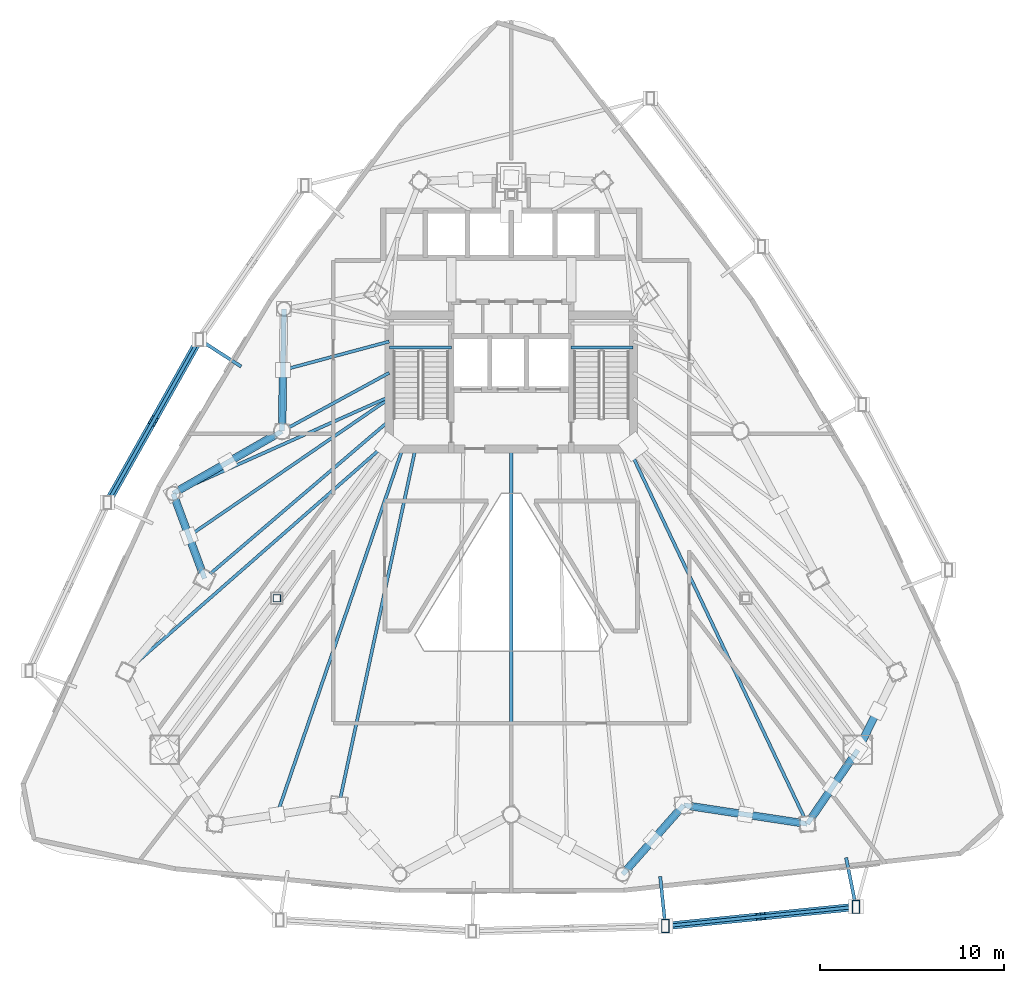
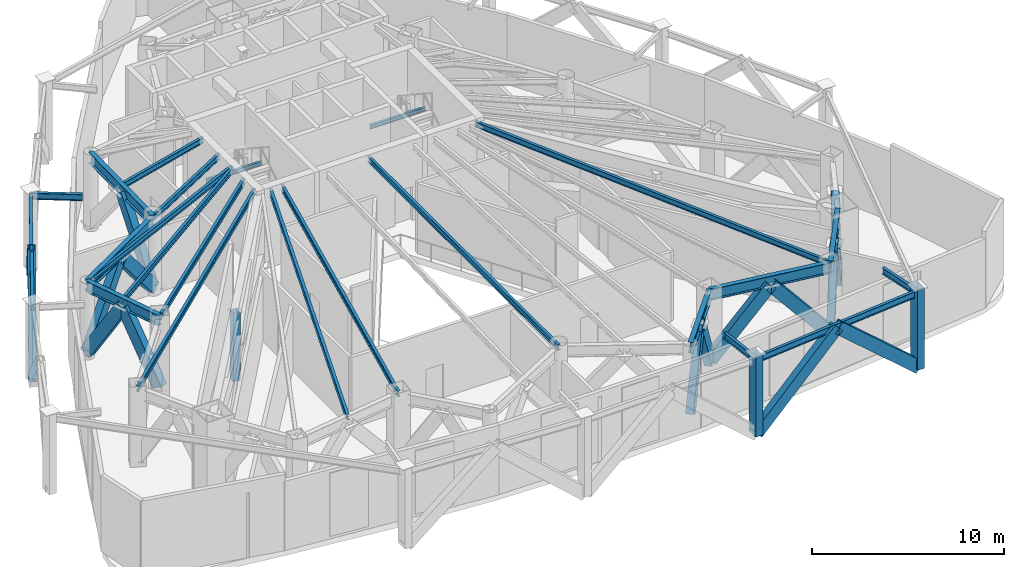
# One storey, part 2 of 10: 23 beams, 19 members.
"""IFC4 building model written with IfcOpenShell, lengths in metres."""

from ifc_helpers import new_model, si_unit, direction, frame, origin, origin_2d, place, context, subcontext, project, spatial, hollow_rectangle, i_section, extrude, material, material_profile, profile_set, type_object, element, save


model = new_model("IFC4")

# Units and contexts
model_context = context("Model", 3, precision=1e-05, world=origin(), true_north=direction((0.0, 1.0)))
body_context = subcontext(model_context, "Body", "Model", "MODEL_VIEW")
ifc_project = project(units=[si_unit("LENGTHUNIT", "METRE"), si_unit("AREAUNIT", "SQUARE_METRE"), si_unit("VOLUMEUNIT", "CUBIC_METRE"), si_unit("PLANEANGLEUNIT", "RADIAN"), si_unit("MASSUNIT", "GRAM", prefix="KILO")], contexts=[model_context])

# Site, building, storey
site_placement = place(None, origin())
site = spatial("IfcSite", under=ifc_project, at=site_placement, CompositionType="ELEMENT")
building_placement = place(site_placement, origin())
building = spatial("IfcBuilding", under=site, at=building_placement, Name="Orvanel Arch Residences", CompositionType="ELEMENT")
storey_placement = place(building_placement, frame((0.0, 0.0, 101.60009765625)))
storey = spatial("IfcBuildingStorey", under=building, at=storey_placement, Name="L28", CompositionType="ELEMENT", Elevation=101.60009765625)

# Beams
ifc_material_1 = material(Name="Structural steel AS/NZS 3679.1 Grade 300 (300 MPa)", Category="steel")
ifc_material_profile_1 = material_profile(ifc_material_1, i_section(OverallWidth=0.14599609375, OverallDepth=0.251953125, WebThickness=0.006103515625, FlangeThickness=0.008544921875, at=origin_2d()), Name="250UB31.4")
ifc_profile_set_1 = profile_set([ifc_material_profile_1], Name="Structural steel AS/NZS 3679.1 Grade 300 (300 MPa)")
beam_type_1 = type_object("IfcBeamType", Name="BJ-250UB", PredefinedType="JOIST", material=ifc_profile_set_1)
for number, where, z_axis, x_axis, name in (
    (1, (26.39990234375, 32.179931640625, 2.223876953125), (1.0, 0.0, 0.0), (0.0, 1.0, 0.0), "L28 ST-1 Half-Landing Support Beam 1.1"),
    (2, (36.25, 32.179931640625, 2.223876953125), (1.0, 0.0, 0.0), (0.0, 1.0, 0.0), "L28 ST-2 Half-Landing Support Beam 1.1"),
):
    element("IfcBeam", number, at=place(storey_placement, frame(where, z_axis=z_axis, x_axis=x_axis)), inside=storey, type_object=beam_type_1, Name=name, PredefinedType="JOIST", context=body_context, shape_type="SweptSolid", body=[
        extrude(i_section(OverallWidth=0.14599609375, OverallDepth=0.251953125, WebThickness=0.006103515625, FlangeThickness=0.008544921875, at=origin_2d()), origin(), (0.0, 0.0, 1.0), 3.35009765625),
    ])
ifc_material_profile_2 = material_profile(ifc_material_1, i_section(OverallWidth=0.1708984375, OverallDepth=0.35595703125, WebThickness=0.00732421875, FlangeThickness=0.011474609375, at=origin_2d()), Name="360UB50.7")
ifc_profile_set_2 = profile_set([ifc_material_profile_2], Name="Structural steel AS/NZS 3679.1 Grade 300 (300 MPa)")
beam_type_2 = type_object("IfcBeamType", Name="BJ-360UB", PredefinedType="JOIST", material=ifc_profile_set_2)
beam_1_placement = place(storey_placement, frame((26.375, 30.800048828125, 4.681884765625), z_axis=(-0.878399029914, -0.477927969726, 0.0), x_axis=(0.477927969726, -0.878399029914, 0.0)))
element("IfcBeam", 3, at=beam_1_placement, inside=storey, type_object=beam_type_2, Name="L28 NW Wing Floor Joist", PredefinedType="JOIST", context=body_context, shape_type="SweptSolid", body=[
    extrude(i_section(OverallWidth=0.1708984375, OverallDepth=0.35595703125, WebThickness=0.00732421875, FlangeThickness=0.011474609375, at=origin_2d()), origin(), (0.0, 0.0, 1.0), 6.609619140625),
])
beam_2_placement = place(storey_placement, frame((26.375, 28.199951171875, 4.681884765625), z_axis=(-0.760024297953, -0.649894658018, 0.0), x_axis=(0.649894658018, -0.760024297953, 0.0)))
element("IfcBeam", 4, at=beam_2_placement, inside=storey, type_object=beam_type_2, Name="L28 W Wing Floor Joist", PredefinedType="JOIST", context=body_context, shape_type="SweptSolid", body=[
    extrude(i_section(OverallWidth=0.1708984375, OverallDepth=0.35595703125, WebThickness=0.00732421875, FlangeThickness=0.011474609375, at=origin_2d()), origin(), (0.0, 0.0, 1.0), 13.16796875),
])
beam_3_placement = place(storey_placement, frame((27.800048828125, 26.675048828125, 4.681884765625), z_axis=(-0.210066515515, -0.977687096703, 0.0), x_axis=(0.977687096703, -0.210066515515, 0.0)))
element("IfcBeam", 5, at=beam_3_placement, inside=storey, type_object=beam_type_2, Name="L28 SW Wing Floor Joist", PredefinedType="JOIST", context=body_context, shape_type="SweptSolid", body=[
    extrude(i_section(OverallWidth=0.1708984375, OverallDepth=0.35595703125, WebThickness=0.00732421875, FlangeThickness=0.011474609375, at=origin_2d()), origin(), (0.0, 0.0, 1.0), 19.760986328125),
])
beam_4_placement = place(storey_placement, frame((33.0, 26.675048828125, 4.681884765625), z_axis=(0.0, -1.0, 0.0), x_axis=(1.0, 0.0, 0.0)))
element("IfcBeam", 6, at=beam_4_placement, inside=storey, type_object=beam_type_2, Name="L28 SSW Wing Floor Joist", PredefinedType="JOIST", context=body_context, shape_type="SweptSolid", body=[
    extrude(i_section(OverallWidth=0.1708984375, OverallDepth=0.35595703125, WebThickness=0.00732421875, FlangeThickness=0.011474609375, at=origin_2d()), origin(), (0.0, 0.0, 1.0), 19.8310546875),
])
beam_5_placement = place(storey_placement, frame((26.375, 32.5, 4.681884765625), z_axis=(-0.965844838168, -0.259121107949, 0.0), x_axis=(0.259121107949, -0.965844838168, 0.0)))
element("IfcBeam", 7, at=beam_5_placement, inside=storey, type_object=beam_type_2, Name="L28 WNW Wing Floor Joist", PredefinedType="JOIST", context=body_context, shape_type="SweptSolid", body=[
    extrude(i_section(OverallWidth=0.1708984375, OverallDepth=0.35595703125, WebThickness=0.00732421875, FlangeThickness=0.011474609375, at=origin_2d()), origin(), (0.0, 0.0, 1.0), 5.95849609375),
])
beam_6_placement = place(storey_placement, frame((26.375, 27.10009765625, 4.681884765625), z_axis=(-0.751924114057, -0.659249669472, 0.0), x_axis=(0.659249669472, -0.751924114057, 0.0)))
element("IfcBeam", 8, at=beam_6_placement, inside=storey, type_object=beam_type_2, Name="L28 MW Wing Floor Joist", PredefinedType="JOIST", context=body_context, shape_type="SweptSolid", body=[
    extrude(i_section(OverallWidth=0.1708984375, OverallDepth=0.35595703125, WebThickness=0.00732421875, FlangeThickness=0.011474609375, at=origin_2d()), origin(), (0.0, 0.0, 1.0), 18.9912109375),
])
beam_7_placement = place(storey_placement, frame((39.39990234375, 26.675048828125, 4.681884765625), z_axis=(0.429042657795, -0.903284228686, 0.0), x_axis=(0.903284228686, 0.429042657795, 0.0)))
element("IfcBeam", 9, at=beam_7_placement, inside=storey, type_object=beam_type_2, Name="L28 MSE Wing Floor Joist", PredefinedType="JOIST", context=body_context, shape_type="SweptSolid", body=[
    extrude(i_section(OverallWidth=0.1708984375, OverallDepth=0.35595703125, WebThickness=0.00732421875, FlangeThickness=0.011474609375, at=origin_2d()), origin(), (0.0, 0.0, 1.0), 22.513427734375),
])
beam_8_placement = place(storey_placement, frame((26.375, 29.5, 4.681884765625), z_axis=(-0.912704378681, -0.408620505038, 0.0), x_axis=(0.408620505038, -0.912704378681, 0.0)))
element("IfcBeam", 10, at=beam_8_placement, inside=storey, type_object=beam_type_2, Name="L28 LSW Wing Floor Joist", PredefinedType="JOIST", context=body_context, shape_type="SweptSolid", body=[
    extrude(i_section(OverallWidth=0.1708984375, OverallDepth=0.35595703125, WebThickness=0.00732421875, FlangeThickness=0.011474609375, at=origin_2d()), origin(), (0.0, 0.0, 1.0), 12.833251953125),
])
beam_9_placement = place(storey_placement, frame((26.375, 29.39990234375, 4.681884765625), z_axis=(-0.824587280955, -0.565734757716, 0.0), x_axis=(0.565734757716, -0.824587280955, 0.0)))
element("IfcBeam", 11, at=beam_9_placement, inside=storey, type_object=beam_type_2, Name="L28 CTW Wing Floor Joist", PredefinedType="JOIST", context=body_context, shape_type="SweptSolid", body=[
    extrude(i_section(OverallWidth=0.1708984375, OverallDepth=0.35595703125, WebThickness=0.00732421875, FlangeThickness=0.011474609375, at=origin_2d()), origin(), (0.0, 0.0, 1.0), 13.17041015625),
])
beam_10_placement = place(storey_placement, frame((27.10009765625, 26.675048828125, 4.681884765625), z_axis=(-0.324621456495, -0.945844019901, 0.0), x_axis=(0.945844019901, -0.324621456495, 0.0)))
element("IfcBeam", 12, at=beam_10_placement, inside=storey, type_object=beam_type_2, Name="L28 JADD1 Wing Floor Joist", PredefinedType="JOIST", context=body_context, shape_type="SweptSolid", body=[
    extrude(i_section(OverallWidth=0.1708984375, OverallDepth=0.35595703125, WebThickness=0.00732421875, FlangeThickness=0.011474609375, at=origin_2d()), origin(), (0.0, 0.0, 1.0), 20.96337890625),
])

# Members
ifc_material_2 = material(Name="Structural steel AS/NZS 3678 Grade 350", Category="steel")
ifc_material_profile_3 = material_profile(ifc_material_2, hollow_rectangle(XDim=0.419921875, YDim=0.719970703125, WallThickness=0.02490234375, at=origin_2d()), Name="RHS720x420x25")
ifc_profile_set_3 = profile_set([ifc_material_profile_3], Name="Structural steel AS/NZS 3678 Grade 350")
member_type_1 = type_object("IfcMemberType", Name="BR-720RHS", PredefinedType="BRACE", material=ifc_profile_set_3)
member_1_placement = place(storey_placement, frame((39.0419921875, 3.60498046875, 0.2998046875), z_axis=(0.350197816455, 0.3967427689, 0.848502601455), x_axis=(-0.74971534373, 0.661760457701, 0.0)))
element("IfcMember", 13, at=member_1_placement, inside=storey, type_object=member_type_1, Name="L28 Belt-Truss Chevron 08.1", PredefinedType="BRACE", context=body_context, shape_type="SweptSolid", body=[
    extrude(hollow_rectangle(XDim=0.419921875, YDim=0.719970703125, WallThickness=0.02490234375, at=origin_2d()), origin(), (0.0, 0.0, 1.0), 4.72607421875),
])
member_2_placement = place(storey_placement, frame((42.35107421875, 7.35498046875, 0.2998046875), z_axis=(-0.350016501555, -0.396771473349, 0.848563990855), x_axis=(0.749909089646, -0.66154089614, 0.0)))
element("IfcMember", 14, at=member_2_placement, inside=storey, type_object=member_type_1, Name="L28 Belt-Truss Chevron 08.2", PredefinedType="BRACE", context=body_context, shape_type="SweptSolid", body=[
    extrude(hollow_rectangle(XDim=0.419921875, YDim=0.719970703125, WallThickness=0.02490234375, at=origin_2d()), origin(), (0.0, 0.0, 1.0), 4.7255859375),
])
for number, where, z_axis, x_axis, name in (
    (15, (42.35107421875, 7.35498046875, 0.2998046875), (0.6385667081, -0.09672858637, 0.763463253788), (0.149769136012, 0.988720994972, 0.0), "L28 Belt-Truss Chevron 09.1"),
    (16, (49.05908203125, 6.339111328125, 0.2998046875), (-0.6385695785, 0.096682539182, 0.763466685607), (-0.149698779423, -0.988731649862, 0.0), "L28 Belt-Truss Chevron 09.2"),
):
    element("IfcMember", number, at=place(storey_placement, frame(where, z_axis=z_axis, x_axis=x_axis)), inside=storey, type_object=member_type_1, Name=name, PredefinedType="BRACE", context=body_context, shape_type="SweptSolid", body=[
        extrude(hollow_rectangle(XDim=0.419921875, YDim=0.719970703125, WallThickness=0.02490234375, at=origin_2d()), origin(), (0.0, 0.0, 1.0), 5.25244140625),
    ])
member_3_placement = place(storey_placement, frame((49.05908203125, 6.339111328125, 0.2998046875), z_axis=(0.29237991119, 0.427817159454, 0.855269820355), x_axis=(-0.825610313036, 0.564240738522, 0.0)))
element("IfcMember", 17, at=member_3_placement, inside=storey, type_object=member_type_1, Name="L28 Belt-Truss Chevron 10.1", PredefinedType="BRACE", context=body_context, shape_type="SweptSolid", body=[
    extrude(hollow_rectangle(XDim=0.419921875, YDim=0.719970703125, WallThickness=0.02490234375, at=origin_2d()), origin(), (0.0, 0.0, 1.0), 4.6884765625),
])
member_4_placement = place(storey_placement, frame((51.801025390625, 10.35107421875, 0.2998046875), z_axis=(-0.292421015586, -0.427853184663, 0.855237745903), x_axis=(0.825595495301, -0.56426241957, 0.0)))
element("IfcMember", 18, at=member_4_placement, inside=storey, type_object=member_type_1, Name="L28 Belt-Truss Chevron 10.2", PredefinedType="BRACE", context=body_context, shape_type="SweptSolid", body=[
    extrude(hollow_rectangle(XDim=0.419921875, YDim=0.719970703125, WallThickness=0.02490234375, at=origin_2d()), origin(), (0.0, 0.0, 1.0), 4.688720703125),
])
member_5_placement = place(storey_placement, frame((51.801025390625, 10.35107421875, 0.2998046875), z_axis=(0.22604068618, 0.454441973631, 0.861619464029), x_axis=(-0.89535544198, 0.445352256665, 0.0)))
element("IfcMember", 19, at=member_5_placement, inside=storey, type_object=member_type_1, Name="L28 Belt-Truss Chevron 11.1", PredefinedType="BRACE", context=body_context, shape_type="SweptSolid", body=[
    extrude(hollow_rectangle(XDim=0.419921875, YDim=0.719970703125, WallThickness=0.02490234375, at=origin_2d()), origin(), (0.0, 0.0, 1.0), 4.654052734375),
])
member_6_placement = place(storey_placement, frame((20.569091796875, 27.64111328125, 0.2998046875), z_axis=(0.009806843122, 0.637116344064, 0.770705254916), x_axis=(-0.999881555799, 0.015390723609, 0.0)))
element("IfcMember", 20, at=member_6_placement, inside=storey, type_object=member_type_1, Name="L28 Belt-Truss Chevron 20.2", PredefinedType="BRACE", context=body_context, shape_type="SweptSolid", body=[
    extrude(hollow_rectangle(XDim=0.419921875, YDim=0.719970703125, WallThickness=0.02490234375, at=origin_2d()), origin(), (0.0, 0.0, 1.0), 5.203125),
])
for number, where, z_axis, x_axis, name in (
    (21, (20.569091796875, 27.64111328125, 0.2998046875), (-0.561428936486, -0.321884067008, 0.762357000809), (0.497381953341, -0.867531666563, 0.0), "L28 Belt-Truss Chevron 21.1"),
    (22, (14.662109375, 24.256103515625, 0.2998046875), (0.561566207833, 0.321650865384, 0.7623543238), (-0.497019183419, 0.867739552696, 0.0), "L28 Belt-Truss Chevron 21.2"),
):
    element("IfcMember", number, at=place(storey_placement, frame(where, z_axis=z_axis, x_axis=x_axis)), inside=storey, type_object=member_type_1, Name=name, PredefinedType="BRACE", context=body_context, shape_type="SweptSolid", body=[
        extrude(hollow_rectangle(XDim=0.419921875, YDim=0.719970703125, WallThickness=0.02490234375, at=origin_2d()), origin(), (0.0, 0.0, 1.0), 5.260009765625),
    ])
member_7_placement = place(storey_placement, frame((14.662109375, 24.256103515625, 0.2998046875), z_axis=(0.181278110891, -0.49043176293, 0.85241711176), x_axis=(0.937974852358, 0.346703297279, 0.0)))
element("IfcMember", 23, at=member_7_placement, inside=storey, type_object=member_type_1, Name="L28 Belt-Truss Chevron 22.1", PredefinedType="BRACE", context=body_context, shape_type="SweptSolid", body=[
    extrude(hollow_rectangle(XDim=0.419921875, YDim=0.719970703125, WallThickness=0.02490234375, at=origin_2d()), origin(), (0.0, 0.0, 1.0), 4.704345703125),
])
member_8_placement = place(storey_placement, frame((16.366943359375, 19.64208984375, 0.2998046875), z_axis=(-0.181132138514, 0.490406182468, 0.852462858191), x_axis=(-0.938059744365, -0.346473543003, 0.0)))
element("IfcMember", 24, at=member_8_placement, inside=storey, type_object=member_type_1, Name="L28 Belt-Truss Chevron 22.2", PredefinedType="BRACE", context=body_context, shape_type="SweptSolid", body=[
    extrude(hollow_rectangle(XDim=0.419921875, YDim=0.719970703125, WallThickness=0.02490234375, at=origin_2d()), origin(), (0.0, 0.0, 1.0), 4.7041015625),
])
ifc_material_profile_4 = material_profile(ifc_material_2, hollow_rectangle(XDim=0.419921875, YDim=0.719970703125, WallThickness=0.02490234375, at=origin_2d()), Name="RHS720x420x25")
ifc_profile_set_4 = profile_set([ifc_material_profile_4], Name="Structural steel AS/NZS 3678 Grade 350")
member_type_2 = type_object("IfcMemberType", Name="BR-720RHS-EXT", PredefinedType="BRACE", material=ifc_profile_set_4)
member_9_placement = place(storey_placement, frame((16.074951171875, 32.612060546875, 0.0), z_axis=(-0.36156138107, -0.642149738937, 0.675956419084), x_axis=(0.871371273252, -0.490624198498, 0.0)))
element("IfcMember", 25, at=member_9_placement, inside=storey, type_object=member_type_2, Name="L28 Exterior Sky-Garden V-Frame Chevron F1B2.1", PredefinedType="BRACE", context=body_context, shape_type="SweptSolid", body=[
    extrude(hollow_rectangle(XDim=0.419921875, YDim=0.719970703125, WallThickness=0.02490234375, at=origin_2d()), origin(), (0.0, 0.0, 1.0), 6.889404296875),
])
member_10_placement = place(storey_placement, frame((11.092041015625, 23.763916015625, 0.0), z_axis=(0.361684588565, 0.642116824668, 0.675921772007), x_axis=(-0.871289038211, 0.490770223112, 0.0)))
element("IfcMember", 26, at=member_10_placement, inside=storey, type_object=member_type_2, Name="L28 Exterior Sky-Garden V-Frame Chevron F1B2.2", PredefinedType="BRACE", context=body_context, shape_type="SweptSolid", body=[
    extrude(hollow_rectangle(XDim=0.419921875, YDim=0.719970703125, WallThickness=0.02490234375, at=origin_2d()), origin(), (0.0, 0.0, 1.0), 6.889892578125),
])
member_11_placement = place(storey_placement, frame((41.360107421875, 0.7958984375, 0.0), z_axis=(0.74086725739, 0.074674604538, 0.667487385921), x_axis=(-0.100285372066, 0.994958714797, 0.0)))
element("IfcMember", 27, at=member_11_placement, inside=storey, type_object=member_type_2, Name="L28 Exterior Sky-Garden V-Frame Chevron F2B3.1", PredefinedType="BRACE", context=body_context, shape_type="SweptSolid", body=[
    extrude(hollow_rectangle(XDim=0.419921875, YDim=0.719970703125, WallThickness=0.02490234375, at=origin_2d()), origin(), (0.0, 0.0, 1.0), 6.976806640625),
])
member_12_placement = place(storey_placement, frame((51.698974609375, 1.839111328125, 0.0), z_axis=(-0.740920701086, -0.074840828278, 0.667409443389), x_axis=(0.100499175756, -0.994937141568, 0.0)))
element("IfcMember", 28, at=member_12_placement, inside=storey, type_object=member_type_2, Name="L28 Exterior Sky-Garden V-Frame Chevron F2B3.2", PredefinedType="BRACE", context=body_context, shape_type="SweptSolid", body=[
    extrude(hollow_rectangle(XDim=0.419921875, YDim=0.719970703125, WallThickness=0.02490234375, at=origin_2d()), origin(), (0.0, 0.0, 1.0), 6.977783203125),
])
ifc_material_profile_5 = material_profile(ifc_material_2, hollow_rectangle(XDim=0.419921875, YDim=0.719970703125, WallThickness=0.02490234375, at=origin_2d()), Name="RHS720x420x25")
ifc_profile_set_5 = profile_set([ifc_material_profile_5], Name="Structural steel AS/NZS 3678 Grade 350")
member_type_3 = type_object("IfcMemberType", Name="CH-720RHS-EXT", PredefinedType="CHORD", material=ifc_profile_set_5)
for number, where, z_axis, x_axis, name in (
    (29, (41.360107421875, 0.7958984375, 0.0), (0.0, 0.0, 1.0), (1.0, 0.0, 0.0), "L28 Outer Perimeter Frame Post 07"),
    (30, (51.698974609375, 1.839111328125, 0.0), (0.0, 0.0, 1.0), (1.0, 0.0, 0.0), "L28 Outer Perimeter Frame Post 08"),
):
    element("IfcMember", number, at=place(storey_placement, frame(where, z_axis=z_axis, x_axis=x_axis)), inside=storey, type_object=member_type_3, Name=name, PredefinedType="CHORD", context=body_context, shape_type="SweptSolid", body=[
        extrude(hollow_rectangle(XDim=0.419921875, YDim=0.719970703125, WallThickness=0.02490234375, at=origin_2d()), origin(), (0.0, 0.0, 1.0), 5.099853515625),
    ])

# Beams
ifc_material_profile_6 = material_profile(ifc_material_1, i_section(OverallWidth=0.177978515625, OverallDepth=0.406005859375, WebThickness=0.0078125, FlangeThickness=0.0126953125, at=origin_2d()), Name="410UB59.7")
ifc_profile_set_6 = profile_set([ifc_material_profile_6], Name="Structural steel AS/NZS 3679.1 Grade 300 (300 MPa)")
beam_type_3 = type_object("IfcBeamType", Name="OB-410UB-EXT", PredefinedType="SPANDREL", material=ifc_profile_set_6)
beam_11_placement = place(storey_placement, frame((18.35009765625, 31.14404296875, 4.656982421875), z_axis=(-0.840266171647, 0.542174105603, 0.0), x_axis=(-0.542174105603, -0.840266171647, 0.0)))
element("IfcBeam", 31, at=beam_11_placement, inside=storey, type_object=beam_type_3, Name="L28 Outer Frame Radial Tie Beam 02", PredefinedType="SPANDREL", context=body_context, shape_type="SweptSolid", body=[
    extrude(i_section(OverallWidth=0.177978515625, OverallDepth=0.406005859375, WebThickness=0.0078125, FlangeThickness=0.0126953125, at=origin_2d()), origin(), (0.0, 0.0, 1.0), 2.707763671875),
])
beam_12_placement = place(storey_placement, frame((16.074951171875, 32.612060546875, 4.656982421875), z_axis=(-0.490697215973, -0.87133015685, 0.0), x_axis=(0.87133015685, -0.490697215973, 0.0)))
element("IfcBeam", 32, at=beam_12_placement, inside=storey, type_object=beam_type_3, Name="L28 Outer Perimeter Floor Ring Beam 02", PredefinedType="SPANDREL", context=body_context, shape_type="SweptSolid", body=[
    extrude(i_section(OverallWidth=0.177978515625, OverallDepth=0.406005859375, WebThickness=0.0078125, FlangeThickness=0.0126953125, at=origin_2d()), origin(), (0.0, 0.0, 1.0), 10.15478515625),
])
beam_13_placement = place(storey_placement, frame((41.076904296875, 3.489013671875, 4.656982421875), z_axis=(0.10458153624, -0.994516315742, 0.0), x_axis=(0.994516315742, 0.10458153624, 0.0)))
element("IfcBeam", 33, at=beam_13_placement, inside=storey, type_object=beam_type_3, Name="L28 Outer Frame Radial Tie Beam 07", PredefinedType="SPANDREL", context=body_context, shape_type="SweptSolid", body=[
    extrude(i_section(OverallWidth=0.177978515625, OverallDepth=0.406005859375, WebThickness=0.0078125, FlangeThickness=0.0126953125, at=origin_2d()), origin(), (0.0, 0.0, 1.0), 2.7080078125),
])
beam_14_placement = place(storey_placement, frame((41.360107421875, 0.7958984375, 4.656982421875), z_axis=(0.99494793279, 0.100392285747, 0.0), x_axis=(-0.100392285747, 0.99494793279, 0.0)))
element("IfcBeam", 34, at=beam_14_placement, inside=storey, type_object=beam_type_3, Name="L28 Outer Perimeter Floor Ring Beam 07", PredefinedType="SPANDREL", context=body_context, shape_type="SweptSolid", body=[
    extrude(i_section(OverallWidth=0.177978515625, OverallDepth=0.406005859375, WebThickness=0.0078125, FlangeThickness=0.0126953125, at=origin_2d()), origin(), (0.0, 0.0, 1.0), 10.391357421875),
])
beam_15_placement = place(storey_placement, frame((51.159912109375, 4.508056640625, 4.656982421875), z_axis=(0.197978033037, -0.980206457046, 0.0), x_axis=(0.980206457046, 0.197978033037, 0.0)))
element("IfcBeam", 35, at=beam_15_placement, inside=storey, type_object=beam_type_3, Name="L28 Outer Frame Radial Tie Beam 08", PredefinedType="SPANDREL", context=body_context, shape_type="SweptSolid", body=[
    extrude(i_section(OverallWidth=0.177978515625, OverallDepth=0.406005859375, WebThickness=0.0078125, FlangeThickness=0.0126953125, at=origin_2d()), origin(), (0.0, 0.0, 1.0), 2.722900390625),
])
ifc_material_profile_7 = material_profile(ifc_material_2, i_section(OverallWidth=0.27490234375, OverallDepth=0.699951171875, WebThickness=0.011962890625, FlangeThickness=0.02001953125, at=origin_2d()), Name="700WB150")
ifc_profile_set_7 = profile_set([ifc_material_profile_7], Name="Structural steel AS/NZS 3678 Grade 350")
beam_type_4 = type_object("IfcBeamType", Name="SP-700WB", PredefinedType="SPANDREL", material=ifc_profile_set_7)
beam_16_placement = place(storey_placement, frame((39.0419921875, 3.60498046875, 4.510009765625), z_axis=(0.661650698195, 0.749812212209, 0.0), x_axis=(-0.749812212209, 0.661650698195, 0.0)))
element("IfcBeam", 36, at=beam_16_placement, inside=storey, type_object=beam_type_4, Name="L28 Perimeter Spandrel Beam 08", PredefinedType="SPANDREL", context=body_context, shape_type="SweptSolid", body=[
    extrude(i_section(OverallWidth=0.27490234375, OverallDepth=0.699951171875, WebThickness=0.011962890625, FlangeThickness=0.02001953125, at=origin_2d()), origin(), (0.0, 0.0, 1.0), 5.001220703125),
])
beam_17_placement = place(storey_placement, frame((42.35107421875, 7.35498046875, 4.510009765625), z_axis=(0.988726323014, -0.149733958002, 0.0), x_axis=(0.149733958002, 0.988726323014, 0.0)))
element("IfcBeam", 37, at=beam_17_placement, inside=storey, type_object=beam_type_4, Name="L28 Perimeter Spandrel Beam 09", PredefinedType="SPANDREL", context=body_context, shape_type="SweptSolid", body=[
    extrude(i_section(OverallWidth=0.27490234375, OverallDepth=0.699951171875, WebThickness=0.011962890625, FlangeThickness=0.02001953125, at=origin_2d()), origin(), (0.0, 0.0, 1.0), 6.784423828125),
])
beam_18_placement = place(storey_placement, frame((49.05908203125, 6.339111328125, 4.510009765625), z_axis=(0.564251579852, 0.825602903722, 0.0), x_axis=(-0.825602903722, 0.564251579852, 0.0)))
element("IfcBeam", 38, at=beam_18_placement, inside=storey, type_object=beam_type_4, Name="L28 Perimeter Spandrel Beam 10", PredefinedType="SPANDREL", context=body_context, shape_type="SweptSolid", body=[
    extrude(i_section(OverallWidth=0.27490234375, OverallDepth=0.699951171875, WebThickness=0.011962890625, FlangeThickness=0.02001953125, at=origin_2d()), origin(), (0.0, 0.0, 1.0), 4.859375),
])
beam_19_placement = place(storey_placement, frame((20.669921875, 34.27099609375, 4.510009765625), z_axis=(-0.015206666874, -0.999884371956, 0.0), x_axis=(0.999884371956, -0.015206666874, 0.0)))
element("IfcBeam", 39, at=beam_19_placement, inside=storey, type_object=beam_type_4, Name="L28 Perimeter Spandrel Beam 20", PredefinedType="SPANDREL", context=body_context, shape_type="SweptSolid", body=[
    extrude(i_section(OverallWidth=0.27490234375, OverallDepth=0.699951171875, WebThickness=0.011962890625, FlangeThickness=0.02001953125, at=origin_2d()), origin(), (0.0, 0.0, 1.0), 6.630615234375),
])
beam_20_placement = place(storey_placement, frame((20.569091796875, 27.64111328125, 4.510009765625), z_axis=(-0.867635629025, -0.497200578485, 0.0), x_axis=(0.497200578485, -0.867635629025, 0.0)))
element("IfcBeam", 40, at=beam_20_placement, inside=storey, type_object=beam_type_4, Name="L28 Perimeter Spandrel Beam 21", PredefinedType="SPANDREL", context=body_context, shape_type="SweptSolid", body=[
    extrude(i_section(OverallWidth=0.27490234375, OverallDepth=0.699951171875, WebThickness=0.011962890625, FlangeThickness=0.02001953125, at=origin_2d()), origin(), (0.0, 0.0, 1.0), 6.80810546875),
])
beam_21_placement = place(storey_placement, frame((14.662109375, 24.256103515625, 4.510009765625), z_axis=(0.346588434017, -0.938017301229, 0.0), x_axis=(0.938017301229, 0.346588434017, 0.0)))
element("IfcBeam", 41, at=beam_21_placement, inside=storey, type_object=beam_type_4, Name="L28 Perimeter Spandrel Beam 22", PredefinedType="SPANDREL", context=body_context, shape_type="SweptSolid", body=[
    extrude(i_section(OverallWidth=0.27490234375, OverallDepth=0.699951171875, WebThickness=0.011962890625, FlangeThickness=0.02001953125, at=origin_2d()), origin(), (0.0, 0.0, 1.0), 4.9189453125),
])

# Member
ifc_material_3 = material(Name="Structural steel AS/NZS 1163 C450L0 (Grade 450)", Category="steel")
ifc_material_profile_8 = material_profile(ifc_material_3, hollow_rectangle(XDim=0.39990234375, YDim=0.39990234375, WallThickness=0.01611328125, at=origin_2d()), Name="SHS400x400x16")
ifc_profile_set_8 = profile_set([ifc_material_profile_8], Name="Structural steel AS/NZS 1163 C450L0 (Grade 450)")
member_type_4 = type_object("IfcMemberType", Name="ST-400SHS", PredefinedType="STRUT", material=ifc_profile_set_8)
member_13_placement = place(storey_placement, frame((20.287109375, 18.575927734375, 0.0), z_axis=(0.0, 0.0, 1.0), x_axis=(1.0, 0.0, 0.0)))
element("IfcMember", 42, at=member_13_placement, inside=storey, type_object=member_type_4, Name="L28 Outrigger Vertical Web Strut 2", PredefinedType="STRUT", context=body_context, shape_type="SweptSolid", body=[
    extrude(hollow_rectangle(XDim=0.39990234375, YDim=0.39990234375, WallThickness=0.01611328125, at=origin_2d()), origin(), (0.0, 0.0, 1.0), 4.35986328125),
])

save(model, "model.ifc")
